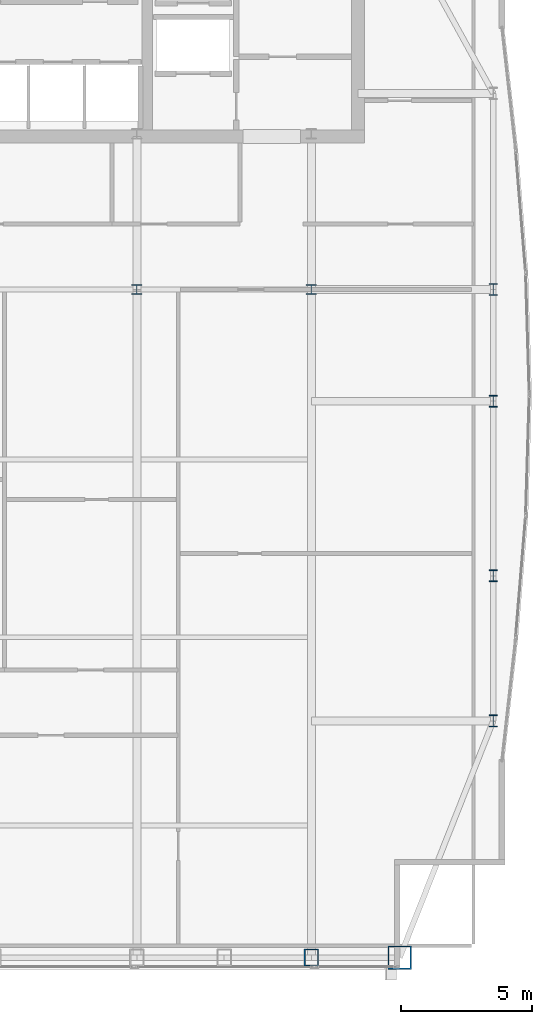
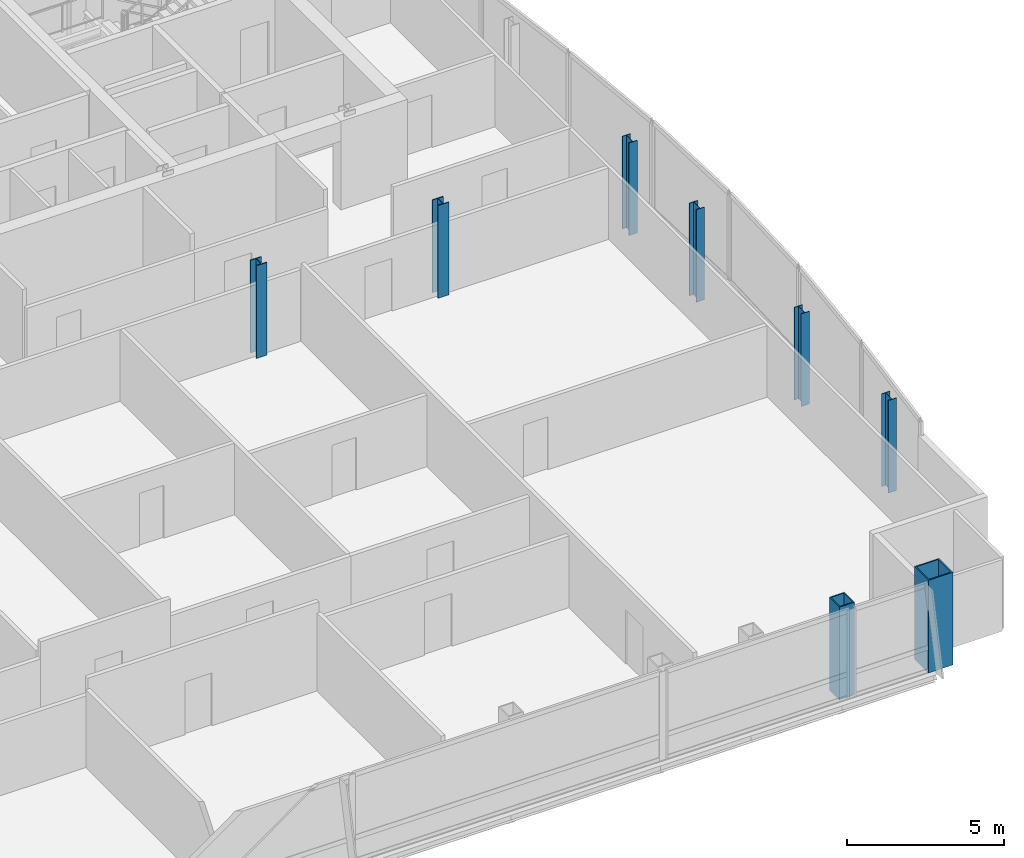
# One storey, part 2 of 25: 8 columns.
"""IFC4 building model written with IfcOpenShell, lengths in metres."""

from ifc_helpers import new_model, si_unit, direction, frame, origin, origin_2d, place, context, subcontext, project, spatial, hollow_rectangle, i_section, extrude, material, material_profile, profile_set, type_object, element, save


model = new_model("IFC4")

# Units and contexts
model_context = context("Model", 3, precision=1e-05, world=origin(), true_north=direction((0.0, 1.0)))
body_context = subcontext(model_context, "Body", "Model", "MODEL_VIEW")
ifc_project = project(units=[si_unit("LENGTHUNIT", "METRE"), si_unit("AREAUNIT", "SQUARE_METRE"), si_unit("VOLUMEUNIT", "CUBIC_METRE"), si_unit("PLANEANGLEUNIT", "RADIAN"), si_unit("MASSUNIT", "GRAM", prefix="KILO")], contexts=[model_context])

# Site, building, storey
site_placement = place(None, origin())
site = spatial("IfcSite", under=ifc_project, at=site_placement, CompositionType="ELEMENT")
building_placement = place(site_placement, origin())
building = spatial("IfcBuilding", under=site, at=building_placement, Name="Khoronbel Lancet Exchange", CompositionType="ELEMENT")
storey_placement = place(building_placement, frame((0.0, 0.0, 295.0)))
storey = spatial("IfcBuildingStorey", under=building, at=storey_placement, Name="L76", CompositionType="ELEMENT", Elevation=295.0)

# Columns
ifc_material_1 = material(Name="Steel S460", Category="steel")
ifc_material_profile_1 = material_profile(ifc_material_1, hollow_rectangle(XDim=0.550048828125, YDim=0.64990234375, WallThickness=0.0400390625, at=origin_2d()), Name="BOX 650x550x40")
ifc_profile_set_1 = profile_set([ifc_material_profile_1], Name="Steel S460")
column_type_1 = type_object("IfcColumnType", Name="COL-EC4", PredefinedType="COLUMN", material=ifc_profile_set_1)
column_1_placement = place(storey_placement, frame((54.675048828125, 10.14990234375, 0.0), z_axis=(0.0, 0.0, 1.0), x_axis=(1.0, 0.0, 0.0)))
element("IfcColumn", 1, at=column_1_placement, inside=storey, type_object=column_type_1, Name="Structural column SC-E2 L76", PredefinedType="COLUMN", context=body_context, shape_type="SweptSolid", body=[
    extrude(hollow_rectangle(XDim=0.550048828125, YDim=0.64990234375, WallThickness=0.0400390625, at=origin_2d()), origin(), (0.0, 0.0, 1.0), 3.60009765625),
])
ifc_material_2 = material(Name="Steel S355", Category="steel")
ifc_material_profile_2 = material_profile(ifc_material_2, i_section(OverallWidth=0.39892578125, OverallDepth=0.39306640625, WebThickness=0.022705078125, FlangeThickness=0.03662109375, at=origin_2d()), Name="HD 400x287")
ifc_profile_set_2 = profile_set([ifc_material_profile_2], Name="Steel S355")
column_type_2 = type_object("IfcColumnType", Name="COL-IC4", PredefinedType="COLUMN", material=ifc_profile_set_2)
for number, where, z_axis, x_axis, name in (
    (2, (48.0, 35.699951171875, 0.0), (0.0, 0.0, 1.0), (1.0, 0.0, 0.0), "Spine gravity column TC3 L76"),
    (3, (54.675048828125, 35.699951171875, 0.0), (0.0, 0.0, 1.0), (1.0, 0.0, 0.0), "Spine gravity column TC4 L76"),
):
    element("IfcColumn", number, at=place(storey_placement, frame(where, z_axis=z_axis, x_axis=x_axis)), inside=storey, type_object=column_type_2, Name=name, PredefinedType="COLUMN", context=body_context, shape_type="SweptSolid", body=[
        extrude(i_section(OverallWidth=0.39892578125, OverallDepth=0.39306640625, WebThickness=0.022705078125, FlangeThickness=0.03662109375, at=origin_2d()), origin(), (0.0, 0.0, 1.0), 3.60009765625),
    ])
ifc_material_profile_3 = material_profile(ifc_material_2, i_section(OverallWidth=0.300048828125, OverallDepth=0.449951171875, WebThickness=0.013916015625, FlangeThickness=0.02587890625, at=origin_2d()), Name="HEB 450")
ifc_profile_set_3 = profile_set([ifc_material_profile_3], Name="Steel S355")
column_type_3 = type_object("IfcColumnType", Name="COL-LC2", PredefinedType="COLUMN", material=ifc_profile_set_3)
for number, where, z_axis, x_axis, name in (
    (4, (61.6298828125, 19.199951171875, 0.0), (0.0, 0.0, 1.0), (1.0, 0.0, 0.0), "Structural column EC-1 L76"),
    (5, (61.6298828125, 24.75, 0.0), (0.0, 0.0, 1.0), (1.0, 0.0, 0.0), "Structural column EC-2 L76"),
    (6, (61.6298828125, 31.425048828125, 0.0), (0.0, 0.0, 1.0), (1.0, 0.0, 0.0), "Structural column EC-M L76"),
    (7, (61.6298828125, 35.699951171875, 0.0), (0.0, 0.0, 1.0), (1.0, 0.0, 0.0), "Structural column EC-3 L76"),
):
    element("IfcColumn", number, at=place(storey_placement, frame(where, z_axis=z_axis, x_axis=x_axis)), inside=storey, type_object=column_type_3, Name=name, PredefinedType="COLUMN", context=body_context, shape_type="SweptSolid", body=[
        extrude(i_section(OverallWidth=0.300048828125, OverallDepth=0.449951171875, WebThickness=0.013916015625, FlangeThickness=0.02587890625, at=origin_2d()), origin(), (0.0, 0.0, 1.0), 3.60009765625),
    ])
ifc_material_profile_4 = material_profile(ifc_material_1, hollow_rectangle(XDim=0.89990234375, YDim=0.89990234375, WallThickness=0.050048828125, at=origin_2d()), Name="BOX 900x900x50")
ifc_profile_set_4 = profile_set([ifc_material_profile_4], Name="Steel S460")
column_type_4 = type_object("IfcColumnType", Name="COL-MC7", PredefinedType="COLUMN", material=ifc_profile_set_4)
column_2_placement = place(storey_placement, frame((58.050048828125, 10.14990234375, 0.0), z_axis=(0.0, 0.0, 1.0), x_axis=(1.0, 0.0, 0.0)))
element("IfcColumn", 8, at=column_2_placement, inside=storey, type_object=column_type_4, Name="Structural column MC-SE L76", PredefinedType="COLUMN", context=body_context, shape_type="SweptSolid", body=[
    extrude(hollow_rectangle(XDim=0.89990234375, YDim=0.89990234375, WallThickness=0.050048828125, at=origin_2d()), origin(), (0.0, 0.0, 1.0), 3.60009765625),
])

save(model, "model.ifc")
